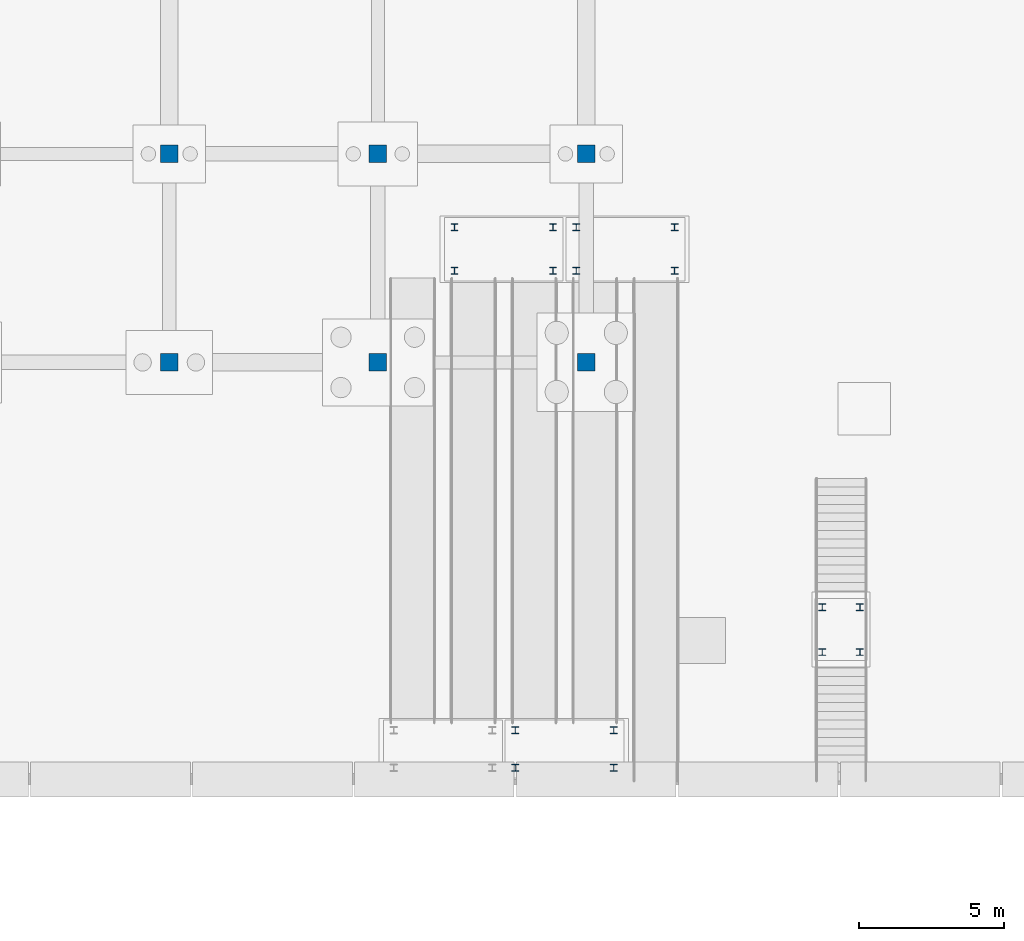
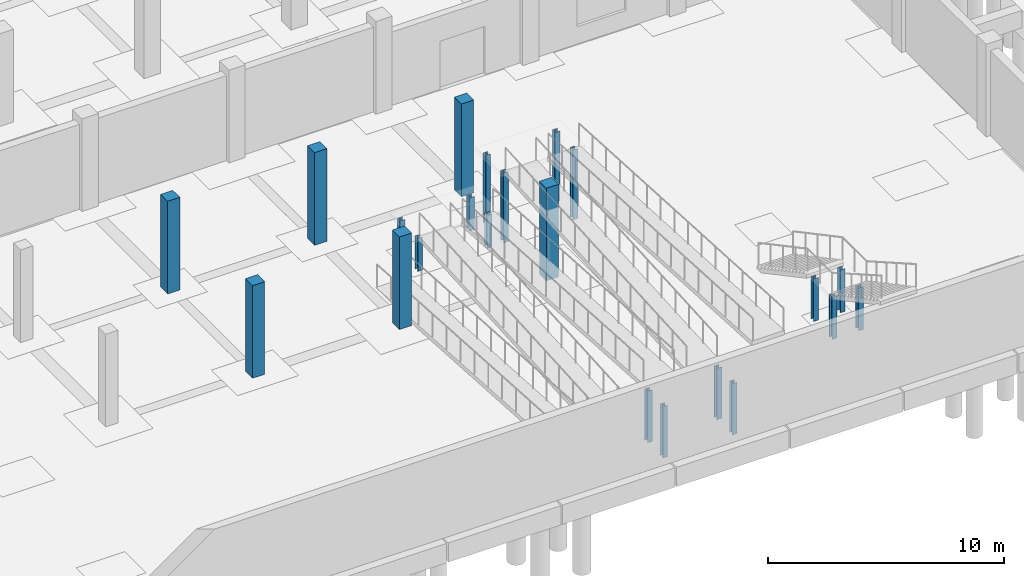
# One storey, part 19 of 38: 22 columns.
"""IFC4 building model written with IfcOpenShell, lengths in metres."""

from ifc_helpers import new_model, si_unit, direction, frame, origin, origin_2d, place, context, subcontext, project, spatial, rectangle, i_section, extrude, material, material_profile, profile_set, type_object, element, save


model = new_model("IFC4")

# Units and contexts
model_context = context("Model", 3, precision=1e-05, world=origin(), true_north=direction((0.0, 1.0)))
body_context = subcontext(model_context, "Body", "Model", "MODEL_VIEW")
ifc_project = project(units=[si_unit("LENGTHUNIT", "METRE"), si_unit("AREAUNIT", "SQUARE_METRE"), si_unit("VOLUMEUNIT", "CUBIC_METRE"), si_unit("PLANEANGLEUNIT", "RADIAN"), si_unit("MASSUNIT", "GRAM", prefix="KILO")], contexts=[model_context])

# Site, building, storey
site_placement = place(None, origin())
site = spatial("IfcSite", under=ifc_project, at=site_placement, CompositionType="ELEMENT")
building_placement = place(site_placement, origin())
building = spatial("IfcBuilding", under=site, at=building_placement, Name="Valkovuoma Quantum and Materials Research Institute", CompositionType="ELEMENT")
storey_placement = place(building_placement, frame((0.0, 0.0, -4.800048828125)))
storey = spatial("IfcBuildingStorey", under=building, at=storey_placement, Name="B1", CompositionType="ELEMENT", Elevation=-4.800048828125)

# Columns
ifc_material_1 = material(Name="Concrete C40/50", Category="concrete")
ifc_material_profile_1 = material_profile(ifc_material_1, rectangle(XDim=0.60009765625, YDim=0.60009765625, at=origin_2d()), Name="Concrete C40/50")
ifc_profile_set_1 = profile_set([ifc_material_profile_1], Name="Concrete C40/50")
column_type_1 = type_object("IfcColumnType", Name="Col-C-RC600", PredefinedType="COLUMN", material=ifc_profile_set_1)
for number, where, z_axis, x_axis, name in (
    (1, (64.800048828125, 21.60009765625, 0.0), (0.0, 0.0, 1.0), (1.0, 0.0, 0.0), "B1 column 10D"),
    (2, (64.800048828125, 28.800048828125, 0.0), (0.0, 0.0, 1.0), (1.0, 0.0, 0.0), "B1 column 10E"),
    (3, (72.0, 21.60009765625, 0.0), (0.0, 0.0, 1.0), (1.0, 0.0, 0.0), "B1 column 11D"),
    (4, (72.0, 28.800048828125, 0.0), (0.0, 0.0, 1.0), (1.0, 0.0, 0.0), "B1 column 11E"),
    (5, (79.199951171875, 21.60009765625, 0.0), (0.0, 0.0, 1.0), (1.0, 0.0, 0.0), "B1 column 12D"),
    (6, (79.199951171875, 28.800048828125, 0.0), (0.0, 0.0, 1.0), (1.0, 0.0, 0.0), "B1 column 12E"),
):
    element("IfcColumn", number, at=place(storey_placement, frame(where, z_axis=z_axis, x_axis=x_axis)), inside=storey, type_object=column_type_1, Name=name, PredefinedType="COLUMN", context=body_context, shape_type="SweptSolid", body=[
        extrude(rectangle(XDim=0.60009765625, YDim=0.60009765625, at=origin_2d()), origin(), (0.0, 0.0, 1.0), 4.800048828125),
    ])
ifc_material_2 = material(Name="Steel S355J2", Category="steel")
ifc_material_profile_2 = material_profile(ifc_material_2, i_section(OverallWidth=0.239990234375, OverallDepth=0.239990234375, WebThickness=0.010009765625, FlangeThickness=0.01708984375, FilletRadius=0.02099609375, at=origin_2d()), Name="Steel S355J2")
ifc_profile_set_2 = profile_set([ifc_material_profile_2], Name="Steel S355J2")
column_type_2 = type_object("IfcColumnType", Name="Col-C-STL240", PredefinedType="COLUMN", material=ifc_profile_set_2)
for number, where, z_axis, x_axis, name in (
    (7, (74.64990234375, 24.760009765625, 0.0), (0.0, 0.0, 1.0), (1.0, 0.0, 0.0), "Forecourt ramp support post 2-1"),
    (8, (74.64990234375, 26.260009765625, 0.0), (0.0, 0.0, 1.0), (1.0, 0.0, 0.0), "Forecourt ramp support post 2-2"),
    (9, (78.050048828125, 24.760009765625, 0.0), (0.0, 0.0, 1.0), (1.0, 0.0, 0.0), "Forecourt ramp support post 2-3"),
    (10, (78.050048828125, 26.260009765625, 0.0), (0.0, 0.0, 1.0), (1.0, 0.0, 0.0), "Forecourt ramp support post 2-4"),
):
    element("IfcColumn", number, at=place(storey_placement, frame(where, z_axis=z_axis, x_axis=x_axis)), inside=storey, type_object=column_type_2, Name=name, PredefinedType="COLUMN", context=body_context, shape_type="SweptSolid", body=[
        extrude(i_section(OverallWidth=0.239990234375, OverallDepth=0.239990234375, WebThickness=0.010009765625, FlangeThickness=0.01708984375, FilletRadius=0.02099609375, at=origin_2d()), origin(), (0.0, 0.0, 1.0), 1.699951171875),
    ])
for number, where, z_axis, x_axis, name in (
    (11, (76.75, 7.60009765625, 0.0), (0.0, 0.0, 1.0), (1.0, 0.0, 0.0), "Forecourt ramp support post 3-1"),
    (12, (76.75, 8.89990234375, 0.0), (0.0, 0.0, 1.0), (1.0, 0.0, 0.0), "Forecourt ramp support post 3-2"),
    (13, (80.14990234375, 7.60009765625, 0.0), (0.0, 0.0, 1.0), (1.0, 0.0, 0.0), "Forecourt ramp support post 3-3"),
    (14, (80.14990234375, 8.89990234375, 0.0), (0.0, 0.0, 1.0), (1.0, 0.0, 0.0), "Forecourt ramp support post 3-4"),
):
    element("IfcColumn", number, at=place(storey_placement, frame(where, z_axis=z_axis, x_axis=x_axis)), inside=storey, type_object=column_type_2, Name=name, PredefinedType="COLUMN", context=body_context, shape_type="SweptSolid", body=[
        extrude(i_section(OverallWidth=0.239990234375, OverallDepth=0.239990234375, WebThickness=0.010009765625, FlangeThickness=0.01708984375, FilletRadius=0.02099609375, at=origin_2d()), origin(), (0.0, 0.0, 1.0), 2.66015625),
    ])
for number, where, z_axis, x_axis, name in (
    (15, (78.85009765625, 24.760009765625, 0.0), (0.0, 0.0, 1.0), (1.0, 0.0, 0.0), "Forecourt ramp support post 4-1"),
    (16, (78.85009765625, 26.260009765625, 0.0), (0.0, 0.0, 1.0), (1.0, 0.0, 0.0), "Forecourt ramp support post 4-2"),
    (17, (82.25, 24.760009765625, 0.0), (0.0, 0.0, 1.0), (1.0, 0.0, 0.0), "Forecourt ramp support post 4-3"),
    (18, (82.25, 26.260009765625, 0.0), (0.0, 0.0, 1.0), (1.0, 0.0, 0.0), "Forecourt ramp support post 4-4"),
):
    element("IfcColumn", number, at=place(storey_placement, frame(where, z_axis=z_axis, x_axis=x_axis)), inside=storey, type_object=column_type_2, Name=name, PredefinedType="COLUMN", context=body_context, shape_type="SweptSolid", body=[
        extrude(i_section(OverallWidth=0.239990234375, OverallDepth=0.239990234375, WebThickness=0.010009765625, FlangeThickness=0.01708984375, FilletRadius=0.02099609375, at=origin_2d()), origin(), (0.0, 0.0, 1.0), 3.6201171875),
    ])
for number, where, z_axis, x_axis, name in (
    (19, (87.35009765625, 11.60009765625, 0.0), (0.0, 0.0, 1.0), (1.0, 0.0, 0.0), "B1 forecourt stair landing post 1"),
    (20, (87.35009765625, 13.14990234375, 0.0), (0.0, 0.0, 1.0), (1.0, 0.0, 0.0), "B1 forecourt stair landing post 2"),
    (21, (88.64990234375, 11.60009765625, 0.0), (0.0, 0.0, 1.0), (1.0, 0.0, 0.0), "B1 forecourt stair landing post 3"),
    (22, (88.64990234375, 13.14990234375, 0.0), (0.0, 0.0, 1.0), (1.0, 0.0, 0.0), "B1 forecourt stair landing post 4"),
):
    element("IfcColumn", number, at=place(storey_placement, frame(where, z_axis=z_axis, x_axis=x_axis)), inside=storey, type_object=column_type_2, Name=name, PredefinedType="COLUMN", context=body_context, shape_type="SweptSolid", body=[
        extrude(i_section(OverallWidth=0.239990234375, OverallDepth=0.239990234375, WebThickness=0.010009765625, FlangeThickness=0.01708984375, FilletRadius=0.02099609375, at=origin_2d()), origin(), (0.0, 0.0, 1.0), 2.199951171875),
    ])

save(model, "model.ifc")
